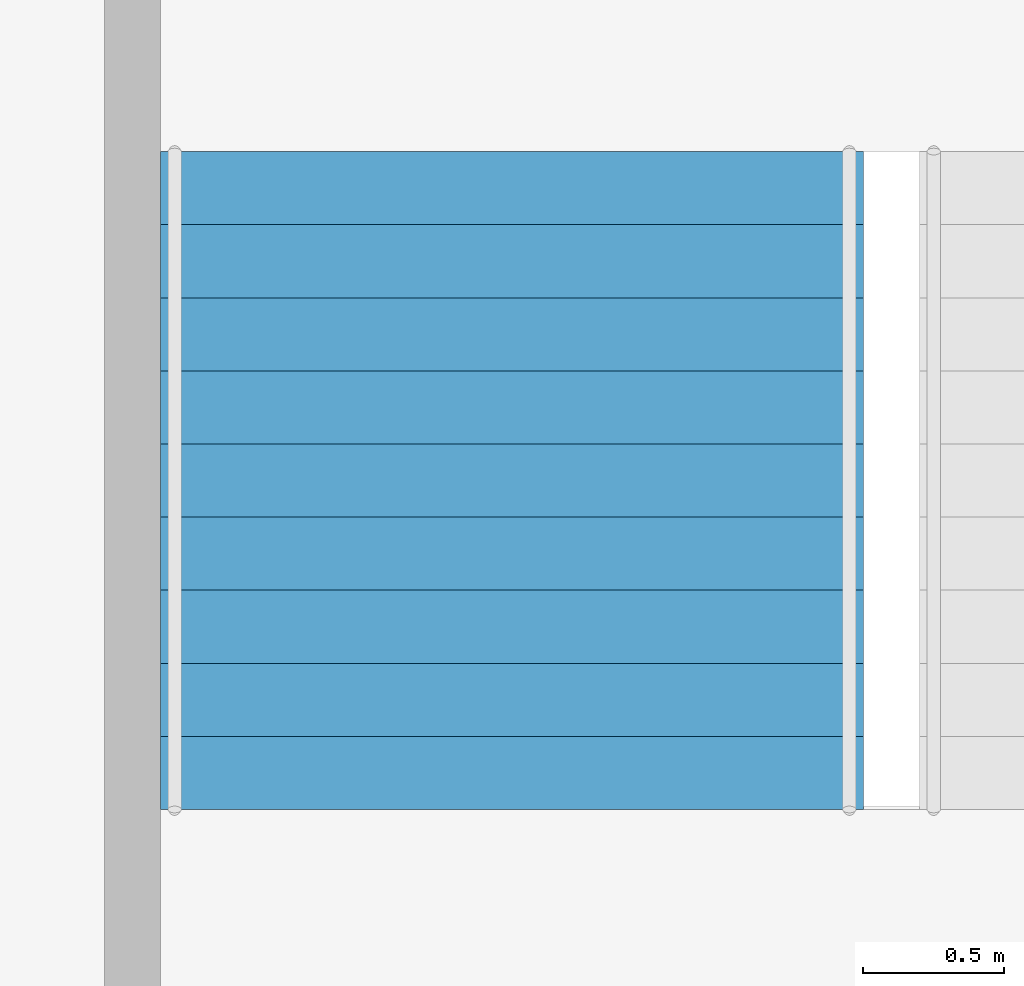
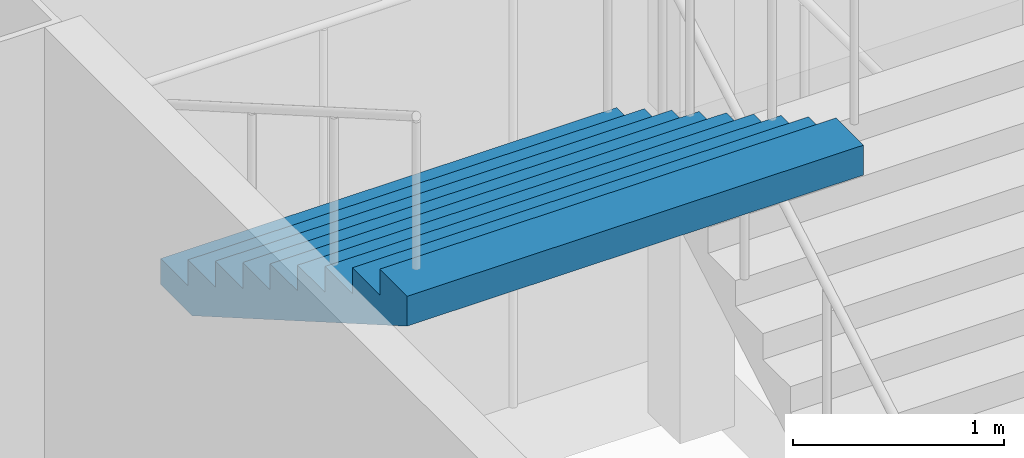
# One storey, part 43 of 100: 1 stair flight, 1 element without a shape of its own.
"""IFC4 building model written with IfcOpenShell, lengths in metres."""

from ifc_helpers import new_model, si_unit, direction, frame, origin, place, context, subcontext, project, spatial, triangles, material, type_object, element, aggregate, save


model = new_model("IFC4")

# Units and contexts
model_context = context("Model", 3, precision=1e-05, world=origin(), true_north=direction((0.0, 1.0)))
body_context = subcontext(model_context, "Body", "Model", "MODEL_VIEW")
ifc_project = project(units=[si_unit("LENGTHUNIT", "METRE"), si_unit("AREAUNIT", "SQUARE_METRE"), si_unit("VOLUMEUNIT", "CUBIC_METRE"), si_unit("PLANEANGLEUNIT", "RADIAN"), si_unit("MASSUNIT", "GRAM", prefix="KILO")], contexts=[model_context])

# Site, building, storey
site_placement = place(None, origin())
site = spatial("IfcSite", under=ifc_project, at=site_placement, CompositionType="ELEMENT")
building_placement = place(site_placement, origin())
building = spatial("IfcBuilding", under=site, at=building_placement, Name="Hakoniwa Tower and Hamabe Station Hall", CompositionType="ELEMENT")
storey_placement = place(building_placement, frame((0.0, 0.0, 9.0)))
storey = spatial("IfcBuildingStorey", under=building, at=storey_placement, Name="L02", CompositionType="ELEMENT", Elevation=9.0)

# Stair, stair flight
ifc_material_1 = material(Name="Concrete C40", Category="concrete")
stair_type = type_object("IfcStairType", Name="STAIR 2500 10X150", PredefinedType="HALF_TURN_STAIR", material=ifc_material_1)
stair_placement = place(storey_placement, origin())
stair = element("IfcStair", 1, at=stair_placement, inside=storey, type_object=stair_type, Name="Escape stair PS4", PredefinedType="HALF_TURN_STAIR")
ifc_material_2 = material(Name="Concrete C40", Category="concrete")
stair_flight_type = type_object("IfcStairFlightType", Name="STAIR FLIGHT 2500", PredefinedType="STRAIGHT", material=ifc_material_2)
stair_flight_placement = place(storey_placement, frame((-47.800048828125, -20.010009765625, 4.5), z_axis=(0.0, 0.0, 1.0), x_axis=(0.0, -1.0, 0.0)))
stair_flight = element("IfcStairFlight", 2, at=stair_flight_placement, type_object=stair_flight_type, Name="PS4 flight 4", NumberOfRisers=10, NumberOfTreads=9, PredefinedType="STRAIGHT", RiserHeight=0.15, TreadLength=0.26, context=body_context, shape_type="Tessellation", body=[
    triangles([(0.0, 1.25, 0.0), (0.260009765625, 1.25, 0.0), (0.300048828125, 1.25, 0.0), (0.52001953125, 1.25, 0.126953125), (0.780029296875, 1.25, 0.27685546875), (1.0400390625, 1.25, 0.427001953125), (1.300048828125, 1.25, 0.576904296875), (1.56005859375, 1.25, 0.72705078125), (1.820068359375, 1.25, 0.876953125), (2.080078125, 1.25, 1.02685546875), (2.340087890625, 1.25, 1.177001953125), (2.340087890625, 1.25, 1.35009765625), (2.080078125, 1.25, 1.35009765625), (2.080078125, 1.25, 1.199951171875), (1.820068359375, 1.25, 1.199951171875), (1.820068359375, 1.25, 1.050048828125), (1.56005859375, 1.25, 1.050048828125), (1.56005859375, 1.25, 0.89990234375), (1.300048828125, 1.25, 0.89990234375), (1.300048828125, 1.25, 0.75), (1.0400390625, 1.25, 0.75), (1.0400390625, 1.25, 0.60009765625), (0.780029296875, 1.25, 0.60009765625), (0.780029296875, 1.25, 0.449951171875), (0.52001953125, 1.25, 0.449951171875), (0.52001953125, 1.25, 0.300048828125), (0.300048828125, 1.25, 0.300048828125), (0.260009765625, 1.25, 0.300048828125), (0.260009765625, 1.25, 0.14990234375), (0.0, 1.25, 0.14990234375), (0.0, 0.06005859375, 0.0), (0.260009765625, 0.06005859375, 0.0), (0.300048828125, 0.06005859375, 0.0), (0.52001953125, 0.06005859375, 0.126953125), (0.780029296875, 0.06005859375, 0.27685546875), (1.0400390625, 0.06005859375, 0.427001953125), (1.300048828125, 0.06005859375, 0.576904296875), (1.56005859375, 0.06005859375, 0.72705078125), (1.820068359375, 0.06005859375, 0.876953125), (2.080078125, 0.06005859375, 1.02685546875), (2.340087890625, 0.06005859375, 1.177001953125), (2.340087890625, 0.06005859375, 1.35009765625), (2.080078125, 0.06005859375, 1.35009765625), (2.080078125, 0.06005859375, 1.199951171875), (1.820068359375, 0.06005859375, 1.199951171875), (1.820068359375, 0.06005859375, 1.050048828125), (1.56005859375, 0.06005859375, 1.050048828125), (1.56005859375, 0.06005859375, 0.89990234375), (1.300048828125, 0.06005859375, 0.89990234375), (1.300048828125, 0.06005859375, 0.75), (1.0400390625, 0.06005859375, 0.75), (1.0400390625, 0.06005859375, 0.60009765625), (0.780029296875, 0.06005859375, 0.60009765625), (0.780029296875, 0.06005859375, 0.449951171875), (0.52001953125, 0.06005859375, 0.449951171875), (0.52001953125, 0.06005859375, 0.300048828125), (0.300048828125, 0.06005859375, 0.300048828125), (0.260009765625, 0.06005859375, 0.300048828125), (0.260009765625, 0.06005859375, 0.14990234375), (0.0, 0.06005859375, 0.14990234375), (0.0, 0.049072265625, 0.0), (0.260009765625, 0.049072265625, 0.0), (0.300048828125, 0.049072265625, 0.0), (0.52001953125, 0.049072265625, 0.126953125), (0.780029296875, 0.049072265625, 0.27685546875), (1.0400390625, 0.049072265625, 0.427001953125), (1.300048828125, 0.049072265625, 0.576904296875), (1.56005859375, 0.049072265625, 0.72705078125), (1.820068359375, 0.049072265625, 0.876953125), (2.080078125, 0.049072265625, 1.02685546875), (2.340087890625, 0.049072265625, 1.177001953125), (2.340087890625, 0.049072265625, 1.35009765625), (2.080078125, 0.049072265625, 1.35009765625), (2.080078125, 0.049072265625, 1.199951171875), (1.820068359375, 0.049072265625, 1.199951171875), (1.820068359375, 0.049072265625, 1.050048828125), (1.56005859375, 0.049072265625, 1.050048828125), (1.56005859375, 0.049072265625, 0.89990234375), (1.300048828125, 0.049072265625, 0.89990234375), (1.300048828125, 0.049072265625, 0.75), (1.0400390625, 0.049072265625, 0.75), (1.0400390625, 0.049072265625, 0.60009765625), (0.780029296875, 0.049072265625, 0.60009765625), (0.780029296875, 0.049072265625, 0.449951171875), (0.52001953125, 0.049072265625, 0.449951171875), (0.52001953125, 0.049072265625, 0.300048828125), (0.300048828125, 0.049072265625, 0.300048828125), (0.260009765625, 0.049072265625, 0.300048828125), (0.260009765625, 0.049072265625, 0.14990234375), (0.0, 0.049072265625, 0.14990234375), (0.0, 0.0380859375, 0.0), (0.260009765625, 0.0380859375, 0.0), (0.300048828125, 0.0380859375, 0.0), (0.52001953125, 0.0380859375, 0.126953125), (0.780029296875, 0.0380859375, 0.27685546875), (1.0400390625, 0.0380859375, 0.427001953125), (1.300048828125, 0.0380859375, 0.576904296875), (1.56005859375, 0.0380859375, 0.72705078125), (1.820068359375, 0.0380859375, 0.876953125), (2.080078125, 0.0380859375, 1.02685546875), (2.340087890625, 0.0380859375, 1.177001953125), (2.340087890625, 0.0380859375, 1.35009765625), (2.080078125, 0.0380859375, 1.35009765625), (2.080078125, 0.0380859375, 1.199951171875), (1.820068359375, 0.0380859375, 1.199951171875), (1.820068359375, 0.0380859375, 1.050048828125), (1.56005859375, 0.0380859375, 1.050048828125), (1.56005859375, 0.0380859375, 0.89990234375), (1.300048828125, 0.0380859375, 0.89990234375), (1.300048828125, 0.0380859375, 0.75), (1.0400390625, 0.0380859375, 0.75), (1.0400390625, 0.0380859375, 0.60009765625), (0.780029296875, 0.0380859375, 0.60009765625), (0.780029296875, 0.0380859375, 0.449951171875), (0.52001953125, 0.0380859375, 0.449951171875), (0.52001953125, 0.0380859375, 0.300048828125), (0.300048828125, 0.0380859375, 0.300048828125), (0.260009765625, 0.0380859375, 0.300048828125), (0.260009765625, 0.0380859375, 0.14990234375), (0.0, 0.0380859375, 0.14990234375), (0.0, 0.02734375, 0.0), (0.260009765625, 0.02734375, 0.0), (0.300048828125, 0.02734375, 0.0), (0.52001953125, 0.02734375, 0.126953125), (0.780029296875, 0.02734375, 0.27685546875), (1.0400390625, 0.02734375, 0.427001953125), (1.300048828125, 0.02734375, 0.576904296875), (1.56005859375, 0.02734375, 0.72705078125), (1.820068359375, 0.02734375, 0.876953125), (2.080078125, 0.02734375, 1.02685546875), (2.340087890625, 0.02734375, 1.177001953125), (2.340087890625, 0.02734375, 1.35009765625), (2.080078125, 0.02734375, 1.35009765625), (2.080078125, 0.02734375, 1.199951171875), (1.820068359375, 0.02734375, 1.199951171875), (1.820068359375, 0.02734375, 1.050048828125), (1.56005859375, 0.02734375, 1.050048828125), (1.56005859375, 0.02734375, 0.89990234375), (1.300048828125, 0.02734375, 0.89990234375), (1.300048828125, 0.02734375, 0.75), (1.0400390625, 0.02734375, 0.75), (1.0400390625, 0.02734375, 0.60009765625), (0.780029296875, 0.02734375, 0.60009765625), (0.780029296875, 0.02734375, 0.449951171875), (0.52001953125, 0.02734375, 0.449951171875), (0.52001953125, 0.02734375, 0.300048828125), (0.300048828125, 0.02734375, 0.300048828125), (0.260009765625, 0.02734375, 0.300048828125), (0.260009765625, 0.02734375, 0.14990234375), (0.0, 0.02734375, 0.14990234375), (0.0, 0.016357421875, 0.0), (0.260009765625, 0.016357421875, 0.0), (0.300048828125, 0.016357421875, 0.0), (0.52001953125, 0.016357421875, 0.126953125), (0.780029296875, 0.016357421875, 0.27685546875), (1.0400390625, 0.016357421875, 0.427001953125), (1.300048828125, 0.016357421875, 0.576904296875), (1.56005859375, 0.016357421875, 0.72705078125), (1.820068359375, 0.016357421875, 0.876953125), (2.080078125, 0.016357421875, 1.02685546875), (2.340087890625, 0.016357421875, 1.177001953125), (2.340087890625, 0.016357421875, 1.35009765625), (2.080078125, 0.016357421875, 1.35009765625), (2.080078125, 0.016357421875, 1.199951171875), (1.820068359375, 0.016357421875, 1.199951171875), (1.820068359375, 0.016357421875, 1.050048828125), (1.56005859375, 0.016357421875, 1.050048828125), (1.56005859375, 0.016357421875, 0.89990234375), (1.300048828125, 0.016357421875, 0.89990234375), (1.300048828125, 0.016357421875, 0.75), (1.0400390625, 0.016357421875, 0.75), (1.0400390625, 0.016357421875, 0.60009765625), (0.780029296875, 0.016357421875, 0.60009765625), (0.780029296875, 0.016357421875, 0.449951171875), (0.52001953125, 0.016357421875, 0.449951171875), (0.52001953125, 0.016357421875, 0.300048828125), (0.300048828125, 0.016357421875, 0.300048828125), (0.260009765625, 0.016357421875, 0.300048828125), (0.260009765625, 0.016357421875, 0.14990234375), (0.0, 0.016357421875, 0.14990234375), (0.0, 0.00537109375, 0.0), (0.260009765625, 0.00537109375, 0.0), (0.300048828125, 0.00537109375, 0.0), (0.52001953125, 0.00537109375, 0.126953125), (0.780029296875, 0.00537109375, 0.27685546875), (1.0400390625, 0.00537109375, 0.427001953125), (1.300048828125, 0.00537109375, 0.576904296875), (1.56005859375, 0.00537109375, 0.72705078125), (1.820068359375, 0.00537109375, 0.876953125), (2.080078125, 0.00537109375, 1.02685546875), (2.340087890625, 0.00537109375, 1.177001953125), (2.340087890625, 0.00537109375, 1.35009765625), (2.080078125, 0.00537109375, 1.35009765625), (2.080078125, 0.00537109375, 1.199951171875), (1.820068359375, 0.00537109375, 1.199951171875), (1.820068359375, 0.00537109375, 1.050048828125), (1.56005859375, 0.00537109375, 1.050048828125), (1.56005859375, 0.00537109375, 0.89990234375), (1.300048828125, 0.00537109375, 0.89990234375), (1.300048828125, 0.00537109375, 0.75), (1.0400390625, 0.00537109375, 0.75), (1.0400390625, 0.00537109375, 0.60009765625), (0.780029296875, 0.00537109375, 0.60009765625), (0.780029296875, 0.00537109375, 0.449951171875), (0.52001953125, 0.00537109375, 0.449951171875), (0.52001953125, 0.00537109375, 0.300048828125), (0.300048828125, 0.00537109375, 0.300048828125), (0.260009765625, 0.00537109375, 0.300048828125), (0.260009765625, 0.00537109375, 0.14990234375), (0.0, 0.00537109375, 0.14990234375), (0.0, -0.00537109375, 0.0), (0.260009765625, -0.00537109375, 0.0), (0.300048828125, -0.00537109375, 0.0), (0.52001953125, -0.00537109375, 0.126953125), (0.780029296875, -0.00537109375, 0.27685546875), (1.0400390625, -0.00537109375, 0.427001953125), (1.300048828125, -0.00537109375, 0.576904296875), (1.56005859375, -0.00537109375, 0.72705078125), (1.820068359375, -0.00537109375, 0.876953125), (2.080078125, -0.00537109375, 1.02685546875), (2.340087890625, -0.00537109375, 1.177001953125), (2.340087890625, -0.00537109375, 1.35009765625), (2.080078125, -0.00537109375, 1.35009765625), (2.080078125, -0.00537109375, 1.199951171875), (1.820068359375, -0.00537109375, 1.199951171875), (1.820068359375, -0.00537109375, 1.050048828125), (1.56005859375, -0.00537109375, 1.050048828125), (1.56005859375, -0.00537109375, 0.89990234375), (1.300048828125, -0.00537109375, 0.89990234375), (1.300048828125, -0.00537109375, 0.75), (1.0400390625, -0.00537109375, 0.75), (1.0400390625, -0.00537109375, 0.60009765625), (0.780029296875, -0.00537109375, 0.60009765625), (0.780029296875, -0.00537109375, 0.449951171875), (0.52001953125, -0.00537109375, 0.449951171875), (0.52001953125, -0.00537109375, 0.300048828125), (0.300048828125, -0.00537109375, 0.300048828125), (0.260009765625, -0.00537109375, 0.300048828125), (0.260009765625, -0.00537109375, 0.14990234375), (0.0, -0.00537109375, 0.14990234375), (0.0, -0.016357421875, 0.0), (0.260009765625, -0.016357421875, 0.0), (0.300048828125, -0.016357421875, 0.0), (0.52001953125, -0.016357421875, 0.126953125), (0.780029296875, -0.016357421875, 0.27685546875), (1.0400390625, -0.016357421875, 0.427001953125), (1.300048828125, -0.016357421875, 0.576904296875), (1.56005859375, -0.016357421875, 0.72705078125), (1.820068359375, -0.016357421875, 0.876953125), (2.080078125, -0.016357421875, 1.02685546875), (2.340087890625, -0.016357421875, 1.177001953125), (2.340087890625, -0.016357421875, 1.35009765625), (2.080078125, -0.016357421875, 1.35009765625), (2.080078125, -0.016357421875, 1.199951171875), (1.820068359375, -0.016357421875, 1.199951171875), (1.820068359375, -0.016357421875, 1.050048828125), (1.56005859375, -0.016357421875, 1.050048828125), (1.56005859375, -0.016357421875, 0.89990234375), (1.300048828125, -0.016357421875, 0.89990234375), (1.300048828125, -0.016357421875, 0.75), (1.0400390625, -0.016357421875, 0.75), (1.0400390625, -0.016357421875, 0.60009765625), (0.780029296875, -0.016357421875, 0.60009765625), (0.780029296875, -0.016357421875, 0.449951171875), (0.52001953125, -0.016357421875, 0.449951171875), (0.52001953125, -0.016357421875, 0.300048828125), (0.300048828125, -0.016357421875, 0.300048828125), (0.260009765625, -0.016357421875, 0.300048828125), (0.260009765625, -0.016357421875, 0.14990234375), (0.0, -0.016357421875, 0.14990234375), (0.0, -0.02734375, 0.0), (0.260009765625, -0.02734375, 0.0), (0.300048828125, -0.02734375, 0.0), (0.52001953125, -0.02734375, 0.126953125), (0.780029296875, -0.02734375, 0.27685546875), (1.0400390625, -0.02734375, 0.427001953125), (1.300048828125, -0.02734375, 0.576904296875), (1.56005859375, -0.02734375, 0.72705078125), (1.820068359375, -0.02734375, 0.876953125), (2.080078125, -0.02734375, 1.02685546875), (2.340087890625, -0.02734375, 1.177001953125), (2.340087890625, -0.02734375, 1.35009765625), (2.080078125, -0.02734375, 1.35009765625), (2.080078125, -0.02734375, 1.199951171875), (1.820068359375, -0.02734375, 1.199951171875), (1.820068359375, -0.02734375, 1.050048828125), (1.56005859375, -0.02734375, 1.050048828125), (1.56005859375, -0.02734375, 0.89990234375), (1.300048828125, -0.02734375, 0.89990234375), (1.300048828125, -0.02734375, 0.75), (1.0400390625, -0.02734375, 0.75), (1.0400390625, -0.02734375, 0.60009765625), (0.780029296875, -0.02734375, 0.60009765625), (0.780029296875, -0.02734375, 0.449951171875), (0.52001953125, -0.02734375, 0.449951171875), (0.52001953125, -0.02734375, 0.300048828125), (0.300048828125, -0.02734375, 0.300048828125), (0.260009765625, -0.02734375, 0.300048828125), (0.260009765625, -0.02734375, 0.14990234375), (0.0, -0.02734375, 0.14990234375), (0.0, -0.0380859375, 0.0), (0.260009765625, -0.0380859375, 0.0), (0.300048828125, -0.0380859375, 0.0), (0.52001953125, -0.0380859375, 0.126953125), (0.780029296875, -0.0380859375, 0.27685546875), (1.0400390625, -0.0380859375, 0.427001953125), (1.300048828125, -0.0380859375, 0.576904296875), (1.56005859375, -0.0380859375, 0.72705078125), (1.820068359375, -0.0380859375, 0.876953125), (2.080078125, -0.0380859375, 1.02685546875), (2.340087890625, -0.0380859375, 1.177001953125), (2.340087890625, -0.0380859375, 1.35009765625), (2.080078125, -0.0380859375, 1.35009765625), (2.080078125, -0.0380859375, 1.199951171875), (1.820068359375, -0.0380859375, 1.199951171875), (1.820068359375, -0.0380859375, 1.050048828125), (1.56005859375, -0.0380859375, 1.050048828125), (1.56005859375, -0.0380859375, 0.89990234375), (1.300048828125, -0.0380859375, 0.89990234375), (1.300048828125, -0.0380859375, 0.75), (1.0400390625, -0.0380859375, 0.75), (1.0400390625, -0.0380859375, 0.60009765625), (0.780029296875, -0.0380859375, 0.60009765625), (0.780029296875, -0.0380859375, 0.449951171875), (0.52001953125, -0.0380859375, 0.449951171875), (0.52001953125, -0.0380859375, 0.300048828125), (0.300048828125, -0.0380859375, 0.300048828125), (0.260009765625, -0.0380859375, 0.300048828125), (0.260009765625, -0.0380859375, 0.14990234375), (0.0, -0.0380859375, 0.14990234375), (0.0, -0.049072265625, 0.0), (0.260009765625, -0.049072265625, 0.0), (0.300048828125, -0.049072265625, 0.0), (0.52001953125, -0.049072265625, 0.126953125), (0.780029296875, -0.049072265625, 0.27685546875), (1.0400390625, -0.049072265625, 0.427001953125), (1.300048828125, -0.049072265625, 0.576904296875), (1.56005859375, -0.049072265625, 0.72705078125), (1.820068359375, -0.049072265625, 0.876953125), (2.080078125, -0.049072265625, 1.02685546875), (2.340087890625, -0.049072265625, 1.177001953125), (2.340087890625, -0.049072265625, 1.35009765625), (2.080078125, -0.049072265625, 1.35009765625), (2.080078125, -0.049072265625, 1.199951171875), (1.820068359375, -0.049072265625, 1.199951171875), (1.820068359375, -0.049072265625, 1.050048828125), (1.56005859375, -0.049072265625, 1.050048828125), (1.56005859375, -0.049072265625, 0.89990234375), (1.300048828125, -0.049072265625, 0.89990234375), (1.300048828125, -0.049072265625, 0.75), (1.0400390625, -0.049072265625, 0.75), (1.0400390625, -0.049072265625, 0.60009765625), (0.780029296875, -0.049072265625, 0.60009765625), (0.780029296875, -0.049072265625, 0.449951171875), (0.52001953125, -0.049072265625, 0.449951171875), (0.52001953125, -0.049072265625, 0.300048828125), (0.300048828125, -0.049072265625, 0.300048828125), (0.260009765625, -0.049072265625, 0.300048828125), (0.260009765625, -0.049072265625, 0.14990234375), (0.0, -0.049072265625, 0.14990234375), (0.0, -0.06005859375, 0.0), (0.260009765625, -0.06005859375, 0.0), (0.300048828125, -0.06005859375, 0.0), (0.52001953125, -0.06005859375, 0.126953125), (0.780029296875, -0.06005859375, 0.27685546875), (1.0400390625, -0.06005859375, 0.427001953125), (1.300048828125, -0.06005859375, 0.576904296875), (1.56005859375, -0.06005859375, 0.72705078125), (1.820068359375, -0.06005859375, 0.876953125), (2.080078125, -0.06005859375, 1.02685546875), (2.340087890625, -0.06005859375, 1.177001953125), (2.340087890625, -0.06005859375, 1.35009765625), (2.080078125, -0.06005859375, 1.35009765625), (2.080078125, -0.06005859375, 1.199951171875), (1.820068359375, -0.06005859375, 1.199951171875), (1.820068359375, -0.06005859375, 1.050048828125), (1.56005859375, -0.06005859375, 1.050048828125), (1.56005859375, -0.06005859375, 0.89990234375), (1.300048828125, -0.06005859375, 0.89990234375), (1.300048828125, -0.06005859375, 0.75), (1.0400390625, -0.06005859375, 0.75), (1.0400390625, -0.06005859375, 0.60009765625), (0.780029296875, -0.06005859375, 0.60009765625), (0.780029296875, -0.06005859375, 0.449951171875), (0.52001953125, -0.06005859375, 0.449951171875), (0.52001953125, -0.06005859375, 0.300048828125), (0.300048828125, -0.06005859375, 0.300048828125), (0.260009765625, -0.06005859375, 0.300048828125), (0.260009765625, -0.06005859375, 0.14990234375), (0.0, -0.06005859375, 0.14990234375), (0.0, -1.25, 0.0), (0.260009765625, -1.25, 0.0), (0.300048828125, -1.25, 0.0), (0.52001953125, -1.25, 0.126953125), (0.780029296875, -1.25, 0.27685546875), (1.0400390625, -1.25, 0.427001953125), (1.300048828125, -1.25, 0.576904296875), (1.56005859375, -1.25, 0.72705078125), (1.820068359375, -1.25, 0.876953125), (2.080078125, -1.25, 1.02685546875), (2.340087890625, -1.25, 1.177001953125), (2.340087890625, -1.25, 1.35009765625), (2.080078125, -1.25, 1.35009765625), (2.080078125, -1.25, 1.199951171875), (1.820068359375, -1.25, 1.199951171875), (1.820068359375, -1.25, 1.050048828125), (1.56005859375, -1.25, 1.050048828125), (1.56005859375, -1.25, 0.89990234375), (1.300048828125, -1.25, 0.89990234375), (1.300048828125, -1.25, 0.75), (1.0400390625, -1.25, 0.75), (1.0400390625, -1.25, 0.60009765625), (0.780029296875, -1.25, 0.60009765625), (0.780029296875, -1.25, 0.449951171875), (0.52001953125, -1.25, 0.449951171875), (0.52001953125, -1.25, 0.300048828125), (0.300048828125, -1.25, 0.300048828125), (0.260009765625, -1.25, 0.300048828125), (0.260009765625, -1.25, 0.14990234375), (0.0, -1.25, 0.14990234375)], [[2, 30, 29], [392, 419, 420], [2, 1, 30], [392, 420, 391], [3, 28, 27], [393, 417, 418], [3, 29, 28], [393, 418, 419], [3, 2, 29], [393, 419, 392], [4, 27, 26], [394, 416, 417], [4, 3, 27], [394, 417, 393], [5, 25, 24], [395, 414, 415], [5, 26, 25], [395, 415, 416], [5, 4, 26], [395, 416, 394], [6, 23, 22], [396, 412, 413], [6, 24, 23], [396, 413, 414], [6, 5, 24], [396, 414, 395], [7, 21, 20], [397, 410, 411], [7, 22, 21], [397, 411, 412], [7, 6, 22], [397, 412, 396], [8, 19, 18], [398, 408, 409], [8, 20, 19], [398, 409, 410], [8, 7, 20], [398, 410, 397], [9, 17, 16], [399, 406, 407], [9, 18, 17], [399, 407, 408], [9, 8, 18], [399, 408, 398], [10, 15, 14], [400, 404, 405], [10, 16, 15], [400, 405, 406], [10, 9, 16], [400, 406, 399], [11, 13, 12], [401, 402, 403], [11, 14, 13], [401, 403, 404], [11, 10, 14], [401, 404, 400], [1, 2, 32], [1, 32, 31], [31, 32, 62], [31, 62, 61], [61, 62, 92], [61, 92, 91], [91, 92, 122], [91, 122, 121], [121, 122, 152], [121, 152, 151], [151, 152, 182], [151, 182, 181], [181, 182, 212], [181, 212, 211], [211, 212, 242], [211, 242, 241], [241, 242, 272], [241, 272, 271], [271, 272, 302], [271, 302, 301], [301, 302, 332], [301, 332, 331], [331, 332, 362], [331, 362, 361], [361, 362, 392], [361, 392, 391], [2, 3, 33], [2, 33, 32], [32, 33, 63], [32, 63, 62], [62, 63, 93], [62, 93, 92], [92, 93, 123], [92, 123, 122], [122, 123, 153], [122, 153, 152], [152, 153, 183], [152, 183, 182], [182, 183, 213], [182, 213, 212], [212, 213, 243], [212, 243, 242], [242, 243, 273], [242, 273, 272], [272, 273, 303], [272, 303, 302], [302, 303, 333], [302, 333, 332], [332, 333, 363], [332, 363, 362], [362, 363, 393], [362, 393, 392], [3, 4, 34], [3, 34, 33], [33, 34, 64], [33, 64, 63], [63, 64, 94], [63, 94, 93], [93, 94, 124], [93, 124, 123], [123, 124, 154], [123, 154, 153], [153, 154, 184], [153, 184, 183], [183, 184, 214], [183, 214, 213], [213, 214, 244], [213, 244, 243], [243, 244, 274], [243, 274, 273], [273, 274, 304], [273, 304, 303], [303, 304, 334], [303, 334, 333], [333, 334, 364], [333, 364, 363], [363, 364, 394], [363, 394, 393], [4, 5, 35], [4, 35, 34], [34, 35, 65], [34, 65, 64], [64, 65, 95], [64, 95, 94], [94, 95, 125], [94, 125, 124], [124, 125, 155], [124, 155, 154], [154, 155, 185], [154, 185, 184], [184, 185, 215], [184, 215, 214], [214, 215, 245], [214, 245, 244], [244, 245, 275], [244, 275, 274], [274, 275, 305], [274, 305, 304], [304, 305, 335], [304, 335, 334], [334, 335, 365], [334, 365, 364], [364, 365, 395], [364, 395, 394], [5, 6, 36], [5, 36, 35], [35, 36, 66], [35, 66, 65], [65, 66, 96], [65, 96, 95], [95, 96, 126], [95, 126, 125], [125, 126, 156], [125, 156, 155], [155, 156, 186], [155, 186, 185], [185, 186, 216], [185, 216, 215], [215, 216, 246], [215, 246, 245], [245, 246, 276], [245, 276, 275], [275, 276, 306], [275, 306, 305], [305, 306, 336], [305, 336, 335], [335, 336, 366], [335, 366, 365], [365, 366, 396], [365, 396, 395], [6, 7, 37], [6, 37, 36], [36, 37, 67], [36, 67, 66], [66, 67, 97], [66, 97, 96], [96, 97, 127], [96, 127, 126], [126, 127, 157], [126, 157, 156], [156, 157, 187], [156, 187, 186], [186, 187, 217], [186, 217, 216], [216, 217, 247], [216, 247, 246], [246, 247, 277], [246, 277, 276], [276, 277, 307], [276, 307, 306], [306, 307, 337], [306, 337, 336], [336, 337, 367], [336, 367, 366], [366, 367, 397], [366, 397, 396], [7, 8, 38], [7, 38, 37], [37, 38, 68], [37, 68, 67], [67, 68, 98], [67, 98, 97], [97, 98, 128], [97, 128, 127], [127, 128, 158], [127, 158, 157], [157, 158, 188], [157, 188, 187], [187, 188, 218], [187, 218, 217], [217, 218, 248], [217, 248, 247], [247, 248, 278], [247, 278, 277], [277, 278, 308], [277, 308, 307], [307, 308, 338], [307, 338, 337], [337, 338, 368], [337, 368, 367], [367, 368, 398], [367, 398, 397], [8, 9, 39], [8, 39, 38], [38, 39, 69], [38, 69, 68], [68, 69, 99], [68, 99, 98], [98, 99, 129], [98, 129, 128], [128, 129, 159], [128, 159, 158], [158, 159, 189], [158, 189, 188], [188, 189, 219], [188, 219, 218], [218, 219, 249], [218, 249, 248], [248, 249, 279], [248, 279, 278], [278, 279, 309], [278, 309, 308], [308, 309, 339], [308, 339, 338], [338, 339, 369], [338, 369, 368], [368, 369, 399], [368, 399, 398], [9, 10, 40], [9, 40, 39], [39, 40, 70], [39, 70, 69], [69, 70, 100], [69, 100, 99], [99, 100, 130], [99, 130, 129], [129, 130, 160], [129, 160, 159], [159, 160, 190], [159, 190, 189], [189, 190, 220], [189, 220, 219], [219, 220, 250], [219, 250, 249], [249, 250, 280], [249, 280, 279], [279, 280, 310], [279, 310, 309], [309, 310, 340], [309, 340, 339], [339, 340, 370], [339, 370, 369], [369, 370, 400], [369, 400, 399], [10, 11, 41], [10, 41, 40], [40, 41, 71], [40, 71, 70], [70, 71, 101], [70, 101, 100], [100, 101, 131], [100, 131, 130], [130, 131, 161], [130, 161, 160], [160, 161, 191], [160, 191, 190], [190, 191, 221], [190, 221, 220], [220, 221, 251], [220, 251, 250], [250, 251, 281], [250, 281, 280], [280, 281, 311], [280, 311, 310], [310, 311, 341], [310, 341, 340], [340, 341, 371], [340, 371, 370], [370, 371, 401], [370, 401, 400], [11, 12, 42], [11, 42, 41], [41, 42, 72], [41, 72, 71], [71, 72, 102], [71, 102, 101], [101, 102, 132], [101, 132, 131], [131, 132, 162], [131, 162, 161], [161, 162, 192], [161, 192, 191], [191, 192, 222], [191, 222, 221], [221, 222, 252], [221, 252, 251], [251, 252, 282], [251, 282, 281], [281, 282, 312], [281, 312, 311], [311, 312, 342], [311, 342, 341], [341, 342, 372], [341, 372, 371], [371, 372, 402], [371, 402, 401], [12, 13, 43], [12, 43, 42], [42, 43, 73], [42, 73, 72], [72, 73, 103], [72, 103, 102], [102, 103, 133], [102, 133, 132], [132, 133, 163], [132, 163, 162], [162, 163, 193], [162, 193, 192], [192, 193, 223], [192, 223, 222], [222, 223, 253], [222, 253, 252], [252, 253, 283], [252, 283, 282], [282, 283, 313], [282, 313, 312], [312, 313, 343], [312, 343, 342], [342, 343, 373], [342, 373, 372], [372, 373, 403], [372, 403, 402], [13, 14, 44], [13, 44, 43], [43, 44, 74], [43, 74, 73], [73, 74, 104], [73, 104, 103], [103, 104, 134], [103, 134, 133], [133, 134, 164], [133, 164, 163], [163, 164, 194], [163, 194, 193], [193, 194, 224], [193, 224, 223], [223, 224, 254], [223, 254, 253], [253, 254, 284], [253, 284, 283], [283, 284, 314], [283, 314, 313], [313, 314, 344], [313, 344, 343], [343, 344, 374], [343, 374, 373], [373, 374, 404], [373, 404, 403], [14, 15, 45], [14, 45, 44], [44, 45, 75], [44, 75, 74], [74, 75, 105], [74, 105, 104], [104, 105, 135], [104, 135, 134], [134, 135, 165], [134, 165, 164], [164, 165, 195], [164, 195, 194], [194, 195, 225], [194, 225, 224], [224, 225, 255], [224, 255, 254], [254, 255, 285], [254, 285, 284], [284, 285, 315], [284, 315, 314], [314, 315, 345], [314, 345, 344], [344, 345, 375], [344, 375, 374], [374, 375, 405], [374, 405, 404], [15, 16, 46], [15, 46, 45], [45, 46, 76], [45, 76, 75], [75, 76, 106], [75, 106, 105], [105, 106, 136], [105, 136, 135], [135, 136, 166], [135, 166, 165], [165, 166, 196], [165, 196, 195], [195, 196, 226], [195, 226, 225], [225, 226, 256], [225, 256, 255], [255, 256, 286], [255, 286, 285], [285, 286, 316], [285, 316, 315], [315, 316, 346], [315, 346, 345], [345, 346, 376], [345, 376, 375], [375, 376, 406], [375, 406, 405], [16, 17, 47], [16, 47, 46], [46, 47, 77], [46, 77, 76], [76, 77, 107], [76, 107, 106], [106, 107, 137], [106, 137, 136], [136, 137, 167], [136, 167, 166], [166, 167, 197], [166, 197, 196], [196, 197, 227], [196, 227, 226], [226, 227, 257], [226, 257, 256], [256, 257, 287], [256, 287, 286], [286, 287, 317], [286, 317, 316], [316, 317, 347], [316, 347, 346], [346, 347, 377], [346, 377, 376], [376, 377, 407], [376, 407, 406], [17, 18, 48], [17, 48, 47], [47, 48, 78], [47, 78, 77], [77, 78, 108], [77, 108, 107], [107, 108, 138], [107, 138, 137], [137, 138, 168], [137, 168, 167], [167, 168, 198], [167, 198, 197], [197, 198, 228], [197, 228, 227], [227, 228, 258], [227, 258, 257], [257, 258, 288], [257, 288, 287], [287, 288, 318], [287, 318, 317], [317, 318, 348], [317, 348, 347], [347, 348, 378], [347, 378, 377], [377, 378, 408], [377, 408, 407], [18, 19, 49], [18, 49, 48], [48, 49, 79], [48, 79, 78], [78, 79, 109], [78, 109, 108], [108, 109, 139], [108, 139, 138], [138, 139, 169], [138, 169, 168], [168, 169, 199], [168, 199, 198], [198, 199, 229], [198, 229, 228], [228, 229, 259], [228, 259, 258], [258, 259, 289], [258, 289, 288], [288, 289, 319], [288, 319, 318], [318, 319, 349], [318, 349, 348], [348, 349, 379], [348, 379, 378], [378, 379, 409], [378, 409, 408], [19, 20, 50], [19, 50, 49], [49, 50, 80], [49, 80, 79], [79, 80, 110], [79, 110, 109], [109, 110, 140], [109, 140, 139], [139, 140, 170], [139, 170, 169], [169, 170, 200], [169, 200, 199], [199, 200, 230], [199, 230, 229], [229, 230, 260], [229, 260, 259], [259, 260, 290], [259, 290, 289], [289, 290, 320], [289, 320, 319], [319, 320, 350], [319, 350, 349], [349, 350, 380], [349, 380, 379], [379, 380, 410], [379, 410, 409], [20, 21, 51], [20, 51, 50], [50, 51, 81], [50, 81, 80], [80, 81, 111], [80, 111, 110], [110, 111, 141], [110, 141, 140], [140, 141, 171], [140, 171, 170], [170, 171, 201], [170, 201, 200], [200, 201, 231], [200, 231, 230], [230, 231, 261], [230, 261, 260], [260, 261, 291], [260, 291, 290], [290, 291, 321], [290, 321, 320], [320, 321, 351], [320, 351, 350], [350, 351, 381], [350, 381, 380], [380, 381, 411], [380, 411, 410], [21, 22, 52], [21, 52, 51], [51, 52, 82], [51, 82, 81], [81, 82, 112], [81, 112, 111], [111, 112, 142], [111, 142, 141], [141, 142, 172], [141, 172, 171], [171, 172, 202], [171, 202, 201], [201, 202, 232], [201, 232, 231], [231, 232, 262], [231, 262, 261], [261, 262, 292], [261, 292, 291], [291, 292, 322], [291, 322, 321], [321, 322, 352], [321, 352, 351], [351, 352, 382], [351, 382, 381], [381, 382, 412], [381, 412, 411], [22, 23, 53], [22, 53, 52], [52, 53, 83], [52, 83, 82], [82, 83, 113], [82, 113, 112], [112, 113, 143], [112, 143, 142], [142, 143, 173], [142, 173, 172], [172, 173, 203], [172, 203, 202], [202, 203, 233], [202, 233, 232], [232, 233, 263], [232, 263, 262], [262, 263, 293], [262, 293, 292], [292, 293, 323], [292, 323, 322], [322, 323, 353], [322, 353, 352], [352, 353, 383], [352, 383, 382], [382, 383, 413], [382, 413, 412], [23, 24, 54], [23, 54, 53], [53, 54, 84], [53, 84, 83], [83, 84, 114], [83, 114, 113], [113, 114, 144], [113, 144, 143], [143, 144, 174], [143, 174, 173], [173, 174, 204], [173, 204, 203], [203, 204, 234], [203, 234, 233], [233, 234, 264], [233, 264, 263], [263, 264, 294], [263, 294, 293], [293, 294, 324], [293, 324, 323], [323, 324, 354], [323, 354, 353], [353, 354, 384], [353, 384, 383], [383, 384, 414], [383, 414, 413], [24, 25, 55], [24, 55, 54], [54, 55, 85], [54, 85, 84], [84, 85, 115], [84, 115, 114], [114, 115, 145], [114, 145, 144], [144, 145, 175], [144, 175, 174], [174, 175, 205], [174, 205, 204], [204, 205, 235], [204, 235, 234], [234, 235, 265], [234, 265, 264], [264, 265, 295], [264, 295, 294], [294, 295, 325], [294, 325, 324], [324, 325, 355], [324, 355, 354], [354, 355, 385], [354, 385, 384], [384, 385, 415], [384, 415, 414], [25, 26, 56], [25, 56, 55], [55, 56, 86], [55, 86, 85], [85, 86, 116], [85, 116, 115], [115, 116, 146], [115, 146, 145], [145, 146, 176], [145, 176, 175], [175, 176, 206], [175, 206, 205], [205, 206, 236], [205, 236, 235], [235, 236, 266], [235, 266, 265], [265, 266, 296], [265, 296, 295], [295, 296, 326], [295, 326, 325], [325, 326, 356], [325, 356, 355], [355, 356, 386], [355, 386, 385], [385, 386, 416], [385, 416, 415], [26, 27, 57], [26, 57, 56], [56, 57, 87], [56, 87, 86], [86, 87, 117], [86, 117, 116], [116, 117, 147], [116, 147, 146], [146, 147, 177], [146, 177, 176], [176, 177, 207], [176, 207, 206], [206, 207, 237], [206, 237, 236], [236, 237, 267], [236, 267, 266], [266, 267, 297], [266, 297, 296], [296, 297, 327], [296, 327, 326], [326, 327, 357], [326, 357, 356], [356, 357, 387], [356, 387, 386], [386, 387, 417], [386, 417, 416], [27, 28, 58], [27, 58, 57], [57, 58, 88], [57, 88, 87], [87, 88, 118], [87, 118, 117], [117, 118, 148], [117, 148, 147], [147, 148, 178], [147, 178, 177], [177, 178, 208], [177, 208, 207], [207, 208, 238], [207, 238, 237], [237, 238, 268], [237, 268, 267], [267, 268, 298], [267, 298, 297], [297, 298, 328], [297, 328, 327], [327, 328, 358], [327, 358, 357], [357, 358, 388], [357, 388, 387], [387, 388, 418], [387, 418, 417], [28, 29, 59], [28, 59, 58], [58, 59, 89], [58, 89, 88], [88, 89, 119], [88, 119, 118], [118, 119, 149], [118, 149, 148], [148, 149, 179], [148, 179, 178], [178, 179, 209], [178, 209, 208], [208, 209, 239], [208, 239, 238], [238, 239, 269], [238, 269, 268], [268, 269, 299], [268, 299, 298], [298, 299, 329], [298, 329, 328], [328, 329, 359], [328, 359, 358], [358, 359, 389], [358, 389, 388], [388, 389, 419], [388, 419, 418], [29, 30, 60], [29, 60, 59], [59, 60, 90], [59, 90, 89], [89, 90, 120], [89, 120, 119], [119, 120, 150], [119, 150, 149], [149, 150, 180], [149, 180, 179], [179, 180, 210], [179, 210, 209], [209, 210, 240], [209, 240, 239], [239, 240, 270], [239, 270, 269], [269, 270, 300], [269, 300, 299], [299, 300, 330], [299, 330, 329], [329, 330, 360], [329, 360, 359], [359, 360, 390], [359, 390, 389], [389, 390, 420], [389, 420, 419], [30, 1, 31], [30, 31, 60], [60, 31, 61], [60, 61, 90], [90, 61, 91], [90, 91, 120], [120, 91, 121], [120, 121, 150], [150, 121, 151], [150, 151, 180], [180, 151, 181], [180, 181, 210], [210, 181, 211], [210, 211, 240], [240, 211, 241], [240, 241, 270], [270, 241, 271], [270, 271, 300], [300, 271, 301], [300, 301, 330], [330, 301, 331], [330, 331, 360], [360, 331, 361], [360, 361, 390], [390, 361, 391], [390, 391, 420]], closed=True),
])
aggregate(stair, [stair_flight])

save(model, "model.ifc")
